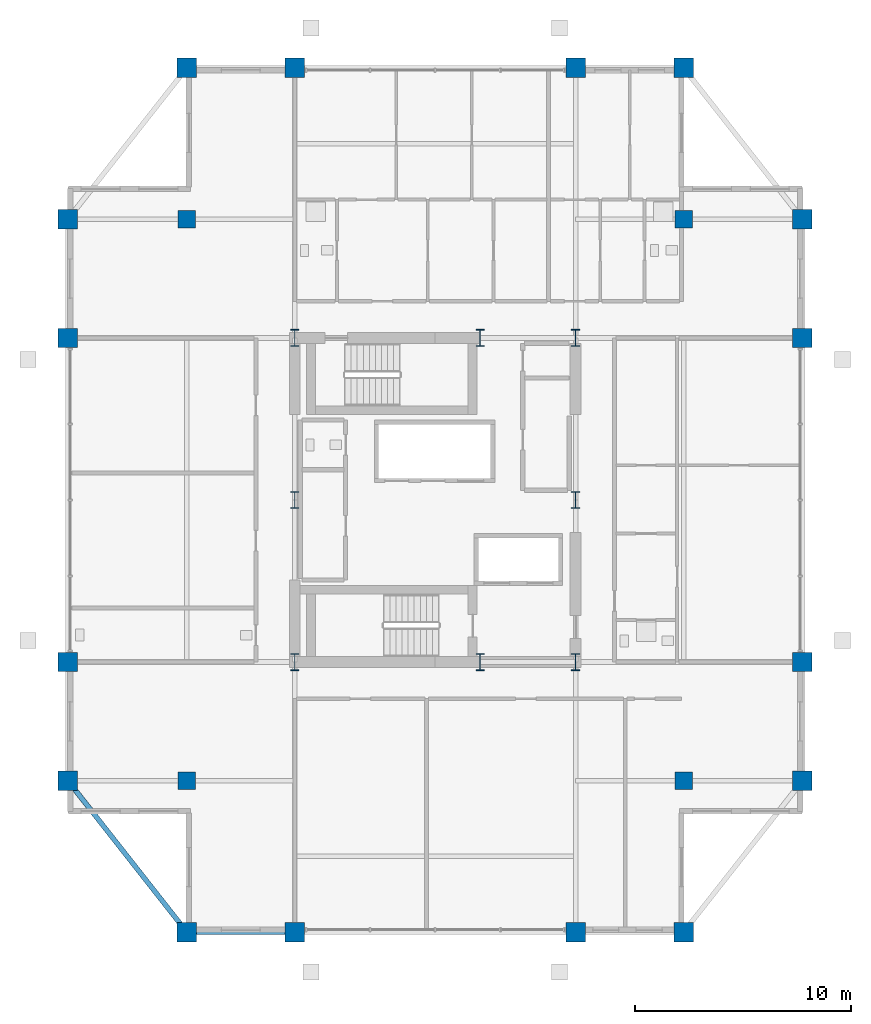
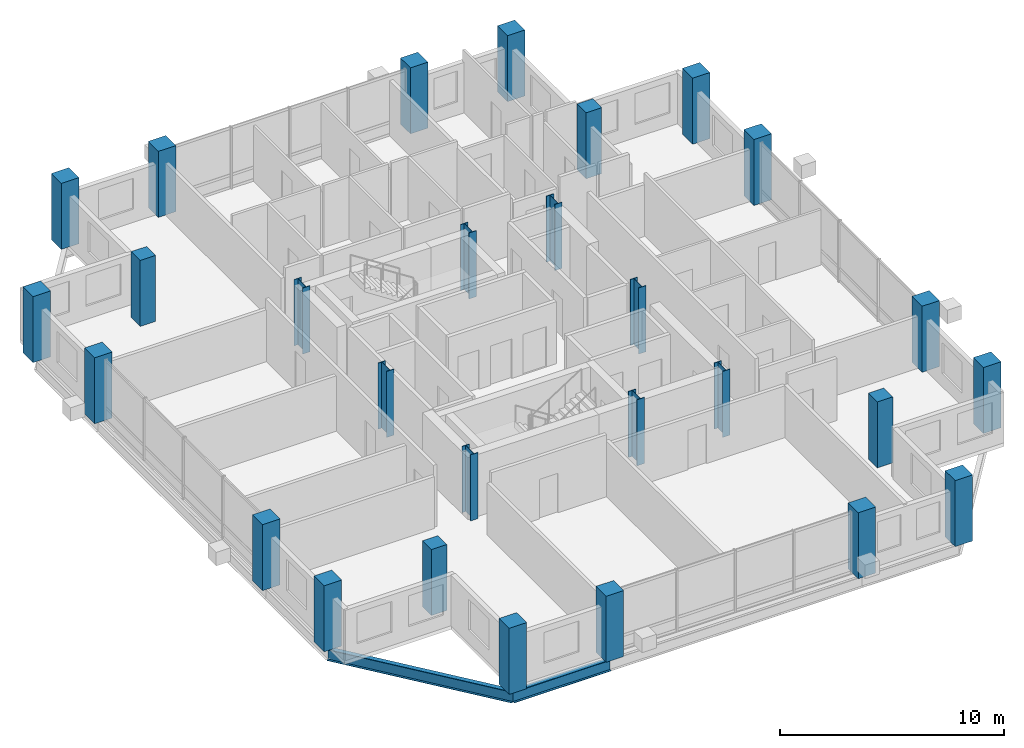
# One storey, part 1 of 21: 28 columns, 2 beams.
"""IFC4 building model written with IfcOpenShell, lengths in metres."""

import ifcopenshell
import ifcopenshell.guid

model = None  # the IFC model being written
_history = None  # IfcOwnerHistory: only IFC2X3 demands one
_inside = {}  # id of a spatial element -> (the spatial element, [elements in it])
_under = {}  # id of a project, library or spatial element -> (it, [spatial elements below it])
_declared = {}  # id of a project -> (the project, [libraries it declares])
_typed = {}  # id of a type object -> (the type object, [elements of that type])
_made_of = {}  # id of a material, layer set ... -> (it, [elements and type objects made of it])


def new_model(schema):
    """Start an empty IFC model of exactly this schema.

    Asked for "IFC4X3", IfcOpenShell would pick the latest addendum, in which some entities
    have other attributes; the version numbers below select the first issue.
    IFC2X3 requires an IfcOwnerHistory on every rooted entity: one is made here for all.
    """
    global model, _history
    if schema == "IFC4X3":
        model = ifcopenshell.file(schema_version=(4, 3, 0, 0))
    else:
        model = ifcopenshell.file(schema=schema)
    _inside.clear()
    _under.clear()
    _declared.clear()
    _typed.clear()
    _made_of.clear()
    _history = None
    if model.schema == "IFC2X3":
        org = make("IfcOrganization", Name="unknown")
        user = make(
            "IfcPersonAndOrganization",
            ThePerson=make("IfcPerson", FamilyName="unknown"),
            TheOrganization=org,
        )
        app = make(
            "IfcApplication",
            ApplicationDeveloper=org,
            Version="unknown",
            ApplicationFullName="unknown",
            ApplicationIdentifier="unknown",
        )
        _history = make(
            "IfcOwnerHistory",
            OwningUser=user,
            OwningApplication=app,
            ChangeAction="ADDED",
            CreationDate=0,
        )
    return model


def make(cls, **values):
    """One entity of the class cls with the attributes given. An attribute that is None is left unset."""
    return model.create_entity(
        cls, **{name: value for name, value in values.items() if value is not None}
    )


def rooted(cls, **values):
    """An entity with a GlobalId (a new one), such as an element, a storey or a relation."""
    return make(cls, GlobalId=ifcopenshell.guid.new(), OwnerHistory=_history, **values)


def si_unit(unit_type, name, prefix=None):
    """IfcSIUnit, for example si_unit("LENGTHUNIT", "METRE", prefix="MILLI")."""
    return make("IfcSIUnit", UnitType=unit_type, Prefix=prefix, Name=name)


def assignment(units):
    """IfcUnitAssignment: the units of a project."""
    return None if units is None else make("IfcUnitAssignment", Units=units)


def point(xyz):
    """IfcCartesianPoint."""
    return None if xyz is None else make("IfcCartesianPoint", Coordinates=xyz)


def direction(xyz):
    """IfcDirection."""
    return None if xyz is None else make("IfcDirection", DirectionRatios=xyz)


def frame(location, z_axis=None, x_axis=None):
    """IfcAxis2Placement3D, a coordinate frame: its origin and axes. An axis left out is left unset."""
    return make(
        "IfcAxis2Placement3D",
        Location=point(location),
        Axis=direction(z_axis),
        RefDirection=direction(x_axis),
    )


def frame_2d(location, x_axis=None):
    """IfcAxis2Placement2D, a coordinate frame in the plane: its origin and x axis."""
    return make(
        "IfcAxis2Placement2D", Location=point(location), RefDirection=direction(x_axis)
    )


def origin():
    """The frame at (0, 0, 0) with its axes left unset."""
    return frame((0.0, 0.0, 0.0))


def origin_2d():
    """The frame at (0, 0) in the plane with its x axis left unset."""
    return frame_2d((0.0, 0.0))


def place(relative_to, where):
    """IfcLocalPlacement: puts the frame where relative to a parent placement (None: the world)."""
    return make(
        "IfcLocalPlacement", PlacementRelTo=relative_to, RelativePlacement=where
    )


def context(
    kind, dimensions, precision=None, world=None, true_north=None, identifier=None
):
    """IfcGeometricRepresentationContext, for example the 3D "Model" context."""
    return make(
        "IfcGeometricRepresentationContext",
        ContextIdentifier=identifier,
        ContextType=kind,
        CoordinateSpaceDimension=dimensions,
        Precision=precision,
        WorldCoordinateSystem=world,
        TrueNorth=true_north,
    )


def subcontext(parent, identifier, kind, view, scale=None):
    """IfcGeometricRepresentationSubContext, for example "Body" below "Model"."""
    return make(
        "IfcGeometricRepresentationSubContext",
        ContextIdentifier=identifier,
        ContextType=kind,
        ParentContext=parent,
        TargetScale=scale,
        TargetView=view,
    )


def project(units=None, contexts=None):
    """IfcProject with its units and contexts."""
    return rooted(
        "IfcProject",
        Name="project",
        RepresentationContexts=contexts,
        UnitsInContext=assignment(units),
    )


def spatial(cls, under=None, at=None, **own):
    """A site, building, storey or space (cls), placed at a placement, below another one or the project."""
    s = rooted(cls, ObjectPlacement=at, **own)
    if under is not None:
        _under.setdefault(under.id(), (under, []))[1].append(s)
    return s


def profile(cls, at=None, kind="AREA", **sizes):
    """A parametric profile (cls). Its sizes go by their IFC names, for example OverallWidth=200.0."""
    return make(cls, ProfileType=kind, Position=at, **sizes)


def rectangle(**sizes):
    """IfcRectangleProfileDef."""
    return profile("IfcRectangleProfileDef", **sizes)


def i_section(**sizes):
    """IfcIShapeProfileDef."""
    return profile("IfcIShapeProfileDef", **sizes)


def extrude(swept, where, along, depth):
    """IfcExtrudedAreaSolid: the profile swept, set in the frame where, extruded along a direction by depth."""
    return make(
        "IfcExtrudedAreaSolid",
        SweptArea=swept,
        Position=where,
        ExtrudedDirection=direction(along),
        Depth=depth,
    )


def shape(context_of_items, identifier, shape_type, items):
    """IfcShapeRepresentation: the items that make up one representation, for example the "Body"."""
    return make(
        "IfcShapeRepresentation",
        ContextOfItems=context_of_items,
        RepresentationIdentifier=identifier,
        RepresentationType=shape_type,
        Items=items,
    )


def material(Name=None, Category=None):
    """IfcMaterial."""
    return make("IfcMaterial", Name=Name, Category=Category)


def material_profile(
    of_material, cross_section, Name=None, Category=None, Priority=None
):
    """IfcMaterialProfile: a cross section and its material."""
    return make(
        "IfcMaterialProfile",
        Name=Name,
        Material=of_material,
        Profile=cross_section,
        Priority=Priority,
        Category=Category,
    )


def profile_set(profiles, Name=None, composite=None):
    """IfcMaterialProfileSet."""
    return make(
        "IfcMaterialProfileSet",
        Name=Name,
        MaterialProfiles=profiles,
        CompositeProfile=composite,
    )


def made_of(thing, what):
    """Note that an element or type object is made of a material, layer set ...; save() writes the relation."""
    if what is not None:
        _made_of.setdefault(what.id(), (what, []))[1].append(thing)
    return thing


def type_object(cls, material=None, **own):
    """A type object (cls), such as IfcWallType, which elements share."""
    return made_of(rooted(cls, **own), material)


def element(
    cls,
    number,
    at=None,
    inside=None,
    cuts=None,
    type_object=None,
    material=None,
    context=None,
    identifier="Body",
    shape_type=None,
    held_by="IfcProductDefinitionShape",
    body=None,
    shapes=None,
    **own,
):
    """One element of the class cls, such as IfcWall. Its Tag is "e" and its number.

    at: its placement. inside: the storey or other place that contains it. cuts: it is an
    opening in that element (IfcRelVoidsElement). A single representation is given by context,
    identifier, shape_type and body (its items); several are given by shapes. held_by: the class
    of the entity that holds the representations. save() writes the other relations.
    """
    e = rooted(cls, Tag="e%d" % number, ObjectPlacement=at, **own)
    if body is not None:
        shapes = [shape(context, identifier, shape_type, body)]
    if shapes is not None:
        e.Representation = make(held_by, Representations=shapes)
    if inside is not None:
        _inside.setdefault(inside.id(), (inside, []))[1].append(e)
    if cuts is not None:
        rooted(
            "IfcRelVoidsElement", RelatingBuildingElement=cuts, RelatedOpeningElement=e
        )
    if type_object is not None:
        _typed.setdefault(type_object.id(), (type_object, []))[1].append(e)
    return made_of(e, material)


def aggregate(whole, parts):
    """IfcRelAggregates: a whole, such as a stair, and the parts it consists of."""
    return rooted("IfcRelAggregates", RelatingObject=whole, RelatedObjects=parts)


def save(model, path):
    """Write the relations noted so far, then the file.

    IfcRelAggregates (storeys below a building ...), IfcRelContainedInSpatialStructure (elements
    in a storey), IfcRelDefinesByType, IfcRelAssociatesMaterial and IfcRelDeclares: one each for
    every whole, place, type object, material and project.
    """
    for whole, parts in _under.values():
        aggregate(whole, parts)
    for where, things in _inside.values():
        rooted(
            "IfcRelContainedInSpatialStructure",
            RelatedElements=things,
            RelatingStructure=where,
        )
    for kind, things in _typed.values():
        rooted("IfcRelDefinesByType", RelatedObjects=things, RelatingType=kind)
    for what, things in _made_of.values():
        rooted("IfcRelAssociatesMaterial", RelatedObjects=things, RelatingMaterial=what)
    for by, libraries in _declared.values():
        rooted("IfcRelDeclares", RelatingContext=by, RelatedDefinitions=libraries)
    model.write(path)


model = new_model("IFC4")

# Units and contexts
model_context = context("Model", 3, precision=1e-05, world=origin(), true_north=direction((0.0, 1.0)))
body_context = subcontext(model_context, "Body", "Model", "MODEL_VIEW")
ifc_project = project(units=[si_unit("LENGTHUNIT", "METRE"), si_unit("AREAUNIT", "SQUARE_METRE"), si_unit("VOLUMEUNIT", "CUBIC_METRE"), si_unit("PLANEANGLEUNIT", "RADIAN"), si_unit("MASSUNIT", "GRAM", prefix="KILO")], contexts=[model_context])

# Site, building, storey
site_placement = place(None, origin())
site = spatial("IfcSite", under=ifc_project, at=site_placement, CompositionType="ELEMENT")
building_placement = place(site_placement, origin())
building = spatial("IfcBuilding", under=site, at=building_placement, Name="Barlavira Tower and Art Museum", CompositionType="ELEMENT")
storey_placement = place(building_placement, frame((0.0, 0.0, 276.300048828125)))
storey = spatial("IfcBuildingStorey", under=building, at=storey_placement, Name="L72", CompositionType="ELEMENT", Elevation=276.300048828125)

# Columns
ifc_material_1 = material(Name="Steel S355", Category="steel")
ifc_material_profile_1 = material_profile(ifc_material_1, i_section(OverallWidth=0.382080078125, OverallDepth=0.785888671875, WebThickness=0.02001953125, FlangeThickness=0.032958984375, at=origin_2d()), Name="W760x314.0")
ifc_profile_set_1 = profile_set([ifc_material_profile_1], Name="Steel S355")
column_type_1 = type_object("IfcColumnType", Name="Core Composite Column W760x314 Steel S355", PredefinedType="COLUMN", material=ifc_profile_set_1)
for number, where, z_axis, x_axis, name in (
    (1, (-6.5, -7.5, 0.0), (0.0, 0.0, 1.0), (1.0, 0.0, 0.0), "L72 Column CC-L72-C1"),
    (2, (2.080078125, -7.5, 0.0), (0.0, 0.0, 1.0), (1.0, 0.0, 0.0), "L72 Column CC-L72-C2"),
    (3, (6.5, -7.5, 0.0), (0.0, 0.0, 1.0), (1.0, 0.0, 0.0), "L72 Column CC-L72-C3"),
    (4, (-6.5, 0.0, 0.0), (0.0, 0.0, 1.0), (1.0, 0.0, 0.0), "L72 Column CC-L72-C4"),
    (5, (6.5, 0.0, 0.0), (0.0, 0.0, 1.0), (1.0, 0.0, 0.0), "L72 Column CC-L72-C5"),
    (6, (-6.5, 7.5, 0.0), (0.0, 0.0, 1.0), (1.0, 0.0, 0.0), "L72 Column CC-L72-C6"),
    (7, (2.080078125, 7.5, 0.0), (0.0, 0.0, 1.0), (1.0, 0.0, 0.0), "L72 Column CC-L72-C7"),
    (8, (6.5, 7.5, 0.0), (0.0, 0.0, 1.0), (1.0, 0.0, 0.0), "L72 Column CC-L72-C8"),
):
    element("IfcColumn", number, at=place(storey_placement, frame(where, z_axis=z_axis, x_axis=x_axis)), inside=storey, type_object=column_type_1, Name=name, PredefinedType="COLUMN", context=body_context, shape_type="SweptSolid", body=[
        extrude(i_section(OverallWidth=0.382080078125, OverallDepth=0.785888671875, WebThickness=0.02001953125, FlangeThickness=0.032958984375, at=origin_2d()), origin(), (0.0, 0.0, 1.0), 3.599853515625),
    ])
ifc_material_2 = material(Name="Concrete C50", Category="concrete")
ifc_material_profile_2 = material_profile(ifc_material_2, rectangle(XDim=0.89990234375, YDim=0.89990234375, at=origin_2d()), Name="RC-COL 900x900")
ifc_profile_set_2 = profile_set([ifc_material_profile_2], Name="Concrete C50")
column_type_2 = type_object("IfcColumnType", Name="Perimeter Mega Column 900x900 Concrete C50", PredefinedType="USERDEFINED", material=ifc_profile_set_2)
for number, where, z_axis, x_axis, name in (
    (9, (-11.5, -20.0, 0.0), (0.0, 0.0, 1.0), (1.0, 0.0, 0.0), "L72 Column MC-L72-M01"),
    (10, (-6.5, -20.0, 0.0), (0.0, 0.0, 1.0), (1.0, 0.0, 0.0), "L72 Column MC-L72-M02"),
    (11, (6.5, -20.0, 0.0), (0.0, 0.0, 1.0), (1.0, 0.0, 0.0), "L72 Column MC-L72-M03"),
    (12, (11.5, -20.0, 0.0), (0.0, 0.0, 1.0), (1.0, 0.0, 0.0), "L72 Column MC-L72-M04"),
    (13, (17.0, -13.0, 0.0), (0.0, 0.0, 1.0), (1.0, 0.0, 0.0), "L72 Column MC-L72-M05"),
    (14, (17.0, -7.5, 0.0), (0.0, 0.0, 1.0), (1.0, 0.0, 0.0), "L72 Column MC-L72-M06"),
    (15, (17.0, 7.5, 0.0), (0.0, 0.0, 1.0), (1.0, 0.0, 0.0), "L72 Column MC-L72-M07"),
    (16, (17.0, 13.0, 0.0), (0.0, 0.0, 1.0), (1.0, 0.0, 0.0), "L72 Column MC-L72-M08"),
    (17, (11.5, 20.0, 0.0), (0.0, 0.0, 1.0), (1.0, 0.0, 0.0), "L72 Column MC-L72-M09"),
    (18, (6.5, 20.0, 0.0), (0.0, 0.0, 1.0), (1.0, 0.0, 0.0), "L72 Column MC-L72-M10"),
    (19, (-6.5, 20.0, 0.0), (0.0, 0.0, 1.0), (1.0, 0.0, 0.0), "L72 Column MC-L72-M11"),
    (20, (-11.5, 20.0, 0.0), (0.0, 0.0, 1.0), (1.0, 0.0, 0.0), "L72 Column MC-L72-M12"),
    (21, (-17.0, 13.0, 0.0), (0.0, 0.0, 1.0), (1.0, 0.0, 0.0), "L72 Column MC-L72-M13"),
    (22, (-17.0, 7.5, 0.0), (0.0, 0.0, 1.0), (1.0, 0.0, 0.0), "L72 Column MC-L72-M14"),
    (23, (-17.0, -7.5, 0.0), (0.0, 0.0, 1.0), (1.0, 0.0, 0.0), "L72 Column MC-L72-M15"),
    (24, (-17.0, -13.0, 0.0), (0.0, 0.0, 1.0), (1.0, 0.0, 0.0), "L72 Column MC-L72-M16"),
):
    element("IfcColumn", number, at=place(storey_placement, frame(where, z_axis=z_axis, x_axis=x_axis)), inside=storey, type_object=column_type_2, Name=name, ObjectType="MEGA COLUMN", PredefinedType="USERDEFINED", context=body_context, shape_type="SweptSolid", body=[
        extrude(rectangle(XDim=0.89990234375, YDim=0.89990234375, at=origin_2d()), origin(), (0.0, 0.0, 1.0), 3.599853515625),
    ])
ifc_material_profile_3 = material_profile(ifc_material_2, rectangle(XDim=0.800048828125, YDim=0.800048828125, at=origin_2d()), Name="RC-COL 800x800")
ifc_profile_set_3 = profile_set([ifc_material_profile_3], Name="Concrete C50")
column_type_3 = type_object("IfcColumnType", Name="Podium Frame Column 800x800 Concrete C50", PredefinedType="COLUMN", material=ifc_profile_set_3)
for number, where, z_axis, x_axis, name in (
    (25, (-11.5, -13.0, 0.0), (0.0, 0.0, 1.0), (1.0, 0.0, 0.0), "L72 Column CI-L72-I1"),
    (26, (11.5, -13.0, 0.0), (0.0, 0.0, 1.0), (1.0, 0.0, 0.0), "L72 Column CI-L72-I2"),
    (27, (-11.5, 13.0, 0.0), (0.0, 0.0, 1.0), (1.0, 0.0, 0.0), "L72 Column CI-L72-I3"),
    (28, (11.5, 13.0, 0.0), (0.0, 0.0, 1.0), (1.0, 0.0, 0.0), "L72 Column CI-L72-I4"),
):
    element("IfcColumn", number, at=place(storey_placement, frame(where, z_axis=z_axis, x_axis=x_axis)), inside=storey, type_object=column_type_3, Name=name, PredefinedType="COLUMN", context=body_context, shape_type="SweptSolid", body=[
        extrude(rectangle(XDim=0.800048828125, YDim=0.800048828125, at=origin_2d()), origin(), (0.0, 0.0, 1.0), 3.599853515625),
    ])

# Beams
ifc_material_profile_4 = material_profile(ifc_material_1, i_section(OverallWidth=0.22998046875, OverallDepth=0.616943359375, WebThickness=0.01318359375, FlangeThickness=0.022216796875, at=origin_2d()), Name="W610x140.0")
ifc_profile_set_4 = profile_set([ifc_material_profile_4], Name="Steel S355")
beam_type = type_object("IfcBeamType", Name="Upper Shaft Spandrel Edge Beam W610x140 Steel S355", PredefinedType="SPANDREL", material=ifc_profile_set_4)
beam_1_placement = place(storey_placement, frame((-11.5, -20.0, -0.528564453125), z_axis=(1.0, 0.0, 0.0), x_axis=(0.0, 1.0, 0.0)))
element("IfcBeam", 29, at=beam_1_placement, inside=storey, type_object=beam_type, Name="L72 Spandrel 1", PredefinedType="SPANDREL", context=body_context, shape_type="SweptSolid", body=[
    extrude(i_section(OverallWidth=0.22998046875, OverallDepth=0.616943359375, WebThickness=0.01318359375, FlangeThickness=0.022216796875, at=origin_2d()), origin(), (0.0, 0.0, 1.0), 5.0),
])
beam_2_placement = place(storey_placement, frame((-17.0, -13.0, -0.528564453125), z_axis=(0.617821551932, -0.786318338822, 0.0), x_axis=(0.786318338822, 0.617821551932, 0.0)))
element("IfcBeam", 30, at=beam_2_placement, inside=storey, type_object=beam_type, Name="L72 Spandrel 16", PredefinedType="SPANDREL", context=body_context, shape_type="SweptSolid", body=[
    extrude(i_section(OverallWidth=0.22998046875, OverallDepth=0.616943359375, WebThickness=0.01318359375, FlangeThickness=0.022216796875, at=origin_2d()), origin(), (0.0, 0.0, 1.0), 8.90234375),
])

save(model, "model.ifc")
